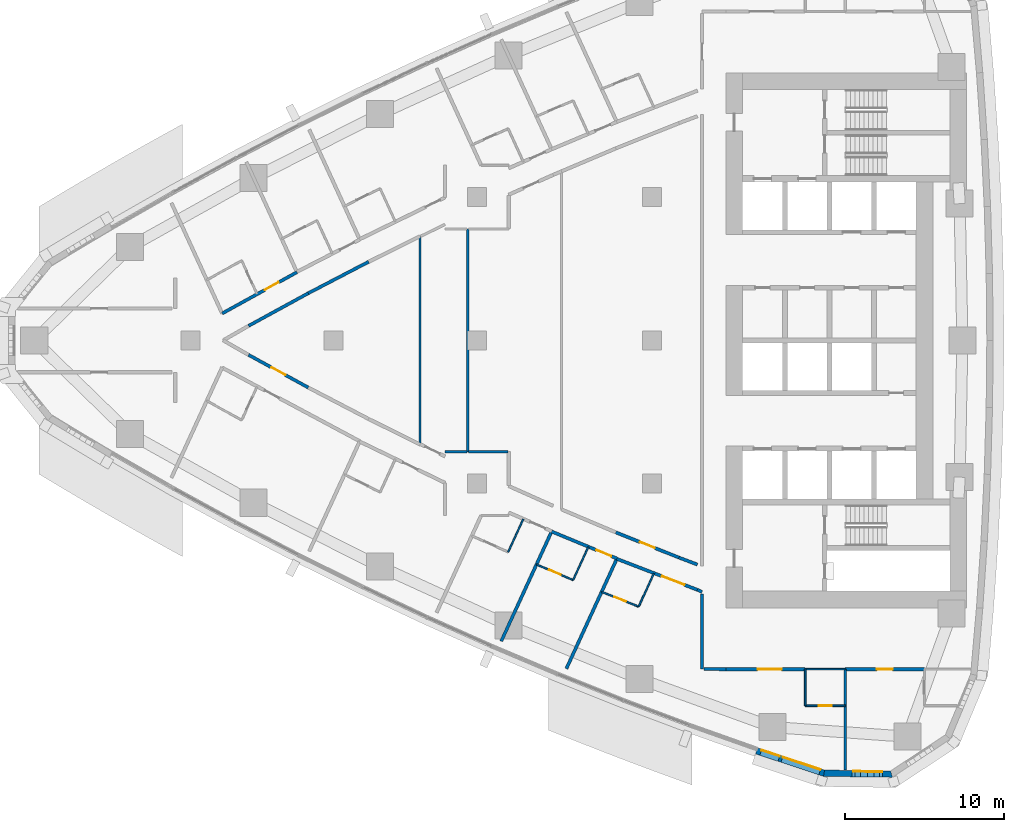
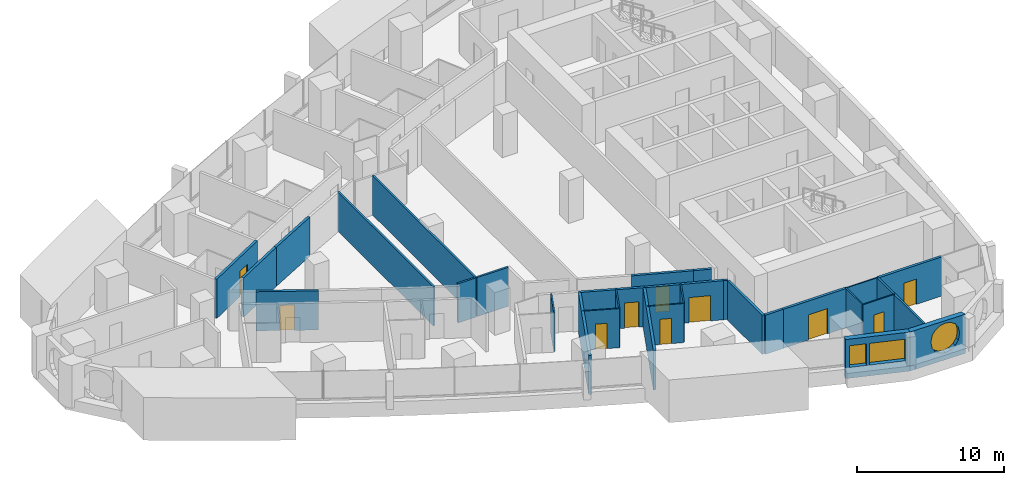
# One storey, part 9 of 17: 30 walls, 10 doors, 3 windows, 13 openings.
"""IFC4 building model written with IfcOpenShell, lengths in metres."""

from ifc_helpers import new_model, si_unit, direction, frame, frame_2d, origin, place, context, subcontext, project, spatial, polyline, rectangle, outline, extrude, material, layer, layer_set, type_object, element, fill, save


model = new_model("IFC4")

# Units and contexts
model_context = context("Model", 3, precision=1e-05, world=origin(), true_north=direction((0.0, 1.0)))
body_context = subcontext(model_context, "Body", "Model", "MODEL_VIEW")
ifc_project = project(units=[si_unit("LENGTHUNIT", "METRE"), si_unit("AREAUNIT", "SQUARE_METRE"), si_unit("VOLUMEUNIT", "CUBIC_METRE"), si_unit("PLANEANGLEUNIT", "RADIAN"), si_unit("MASSUNIT", "GRAM", prefix="KILO")], contexts=[model_context])

# Site, building, storey
site_placement = place(None, origin())
site = spatial("IfcSite", under=ifc_project, at=site_placement, CompositionType="ELEMENT")
building_placement = place(site_placement, origin())
building = spatial("IfcBuilding", under=site, at=building_placement, Name="Ostrand Prow Hotel Tower", CompositionType="ELEMENT")
storey_placement = place(building_placement, frame((0.0, 0.0, 84.89990234375)))
storey = spatial("IfcBuildingStorey", under=building, at=storey_placement, Name="L19", CompositionType="ELEMENT", Elevation=84.89990234375)

# Wall
ifc_material_1 = material(Name="Plasterboard partition")
ifc_layer_1 = layer(ifc_material_1, 0.10009765625)
ifc_layer_set_1 = layer_set([ifc_layer_1], Name="Plasterboard partition")
wall_type_1 = type_object("IfcWallType", Name="Partition 100 bathroom wall", PredefinedType="PARTITIONING", material=ifc_layer_set_1)
wall_1_placement = place(storey_placement, frame((54.630615234375, -22.949951171875, 0.0), z_axis=(0.0, 0.0, 1.0), x_axis=(0.0, 1.0, 0.0)))
element("IfcWall", 1, at=wall_1_placement, inside=storey, type_object=wall_type_1, Name="BATHROOM WALL", PredefinedType="PARTITIONING", context=body_context, shape_type="SweptSolid", body=[
    extrude(rectangle(XDim=2.300048828125, YDim=0.10009765625, at=frame_2d((1.14990234375, 0.0))), origin(), (0.0, 0.0, 1.0), 3.25),
])

# Wall, opening, door
wall_2_placement = place(storey_placement, frame((57.130615234375, -22.949951171875, 0.0), z_axis=(0.0, 0.0, 1.0), x_axis=(-1.0, 0.0, 0.0)))
wall_2 = element("IfcWall", 2, at=wall_2_placement, inside=storey, type_object=wall_type_1, Name="BATHROOM WALL", PredefinedType="PARTITIONING", context=body_context, shape_type="SweptSolid", body=[
    extrude(rectangle(XDim=2.5, YDim=0.10009765625, at=frame_2d((1.25, 0.0))), origin(), (0.0, 0.0, 1.0), 3.25),
])
opening_1_placement = place(wall_2_placement, frame((0.85009765625, 0.0, 0.0)))
opening_1 = element("IfcOpeningElement", 3, at=opening_1_placement, cuts=wall_2, Name="Opening D2", PredefinedType="OPENING", context=body_context, shape_type="SweptSolid", body=[
    extrude(rectangle(XDim=0.800048828125, YDim=2.10009765625, at=frame_2d((0.39990234375, 1.050048828125))), frame((0.0, 0.06005859375, 0.0), z_axis=(0.0, -1.0, 0.0), x_axis=(1.0, 0.0, 0.0)), (0.0, 0.0, 1.0), 0.1201171875),
])
ifc_material_2 = material(Name="Timber door leaf", Category="wood")
door_type_1 = type_object("IfcDoorType", Name="Bathroom door 800", OperationType="SINGLE_SWING_LEFT", PredefinedType="DOOR", material=ifc_material_2)
door_1_placement = place(opening_1_placement, origin())
door_1 = element("IfcDoor", 4, at=door_1_placement, inside=storey, type_object=door_type_1, Name="DOOR", OperationType="SINGLE_SWING_LEFT", OverallHeight=2.10009765625, OverallWidth=0.800048828125, PredefinedType="DOOR", context=body_context, shape_type="SweptSolid", body=[
    extrude(rectangle(XDim=0.800048828125, YDim=2.10009765625, at=frame_2d((0.39990234375, 1.050048828125))), frame((0.0, 0.02490234375, 0.0), z_axis=(0.0, -1.0, 0.0), x_axis=(1.0, 0.0, 0.0)), (0.0, 0.0, 1.0), 0.050048828125),
])
fill(opening_1, door_1)

# Walls
wall_3_placement = place(storey_placement, frame((36.917236328125, -11.2275390625, 0.0), z_axis=(0.0, 0.0, 1.0), x_axis=(-0.417378147321, -0.908732899228, 0.0)))
element("IfcWall", 5, at=wall_3_placement, inside=storey, type_object=wall_type_1, Name="BATHROOM WALL", PredefinedType="PARTITIONING", context=body_context, shape_type="SweptSolid", body=[
    extrude(rectangle(XDim=2.277099609375, YDim=0.10009765625, at=frame_2d((1.138671875, 0.0))), origin(), (0.0, 0.0, 1.0), 3.25),
])
wall_4_placement = place(storey_placement, frame((40.99853515625, -12.983642578125, 0.0), z_axis=(0.0, 0.0, 1.0), x_axis=(-0.417433204355, -0.908707609686, 0.0)))
element("IfcWall", 6, at=wall_4_placement, inside=storey, type_object=wall_type_1, Name="BATHROOM WALL", PredefinedType="PARTITIONING", context=body_context, shape_type="SweptSolid", body=[
    extrude(rectangle(XDim=2.278076171875, YDim=0.10009765625, at=frame_2d((1.13916015625, 0.0))), origin(), (0.0, 0.0, 1.0), 3.25),
])

# Wall, opening, door
wall_5_placement = place(storey_placement, frame((40.047607421875, -15.0537109375, 0.0), z_axis=(0.0, 0.0, 1.0), x_axis=(-0.921042675983, 0.38946166566, 0.0)))
wall_5 = element("IfcWall", 7, at=wall_5_placement, inside=storey, type_object=wall_type_1, Name="BATHROOM WALL", PredefinedType="PARTITIONING", context=body_context, shape_type="SweptSolid", body=[
    extrude(rectangle(XDim=2.501220703125, YDim=0.10009765625, at=frame_2d((1.25048828125, 0.0))), origin(), (0.0, 0.0, 1.0), 3.25),
])
opening_2_placement = place(wall_5_placement, frame((0.85009765625, 0.0, 0.0)))
opening_2 = element("IfcOpeningElement", 8, at=opening_2_placement, cuts=wall_5, Name="Opening D2", PredefinedType="OPENING", context=body_context, shape_type="SweptSolid", body=[
    extrude(rectangle(XDim=0.800048828125, YDim=2.10009765625, at=frame_2d((0.39990234375, 1.050048828125))), frame((0.0, 0.06005859375, 0.0), z_axis=(0.0, -1.0, 0.0), x_axis=(1.0, 0.0, 0.0)), (0.0, 0.0, 1.0), 0.1201171875),
])
door_2_placement = place(opening_2_placement, origin())
door_2 = element("IfcDoor", 9, at=door_2_placement, inside=storey, type_object=door_type_1, Name="DOOR", OperationType="SINGLE_SWING_LEFT", OverallHeight=2.10009765625, OverallWidth=0.800048828125, PredefinedType="DOOR", context=body_context, shape_type="SweptSolid", body=[
    extrude(rectangle(XDim=0.800048828125, YDim=2.10009765625, at=frame_2d((0.39990234375, 1.050048828125))), frame((0.0, 0.02490234375, 0.0), z_axis=(0.0, -1.0, 0.0), x_axis=(1.0, 0.0, 0.0)), (0.0, 0.0, 1.0), 0.050048828125),
])
fill(opening_2, door_2)

# Wall
wall_6_placement = place(storey_placement, frame((45.1142578125, -14.65478515625, 0.0), z_axis=(0.0, 0.0, 1.0), x_axis=(-0.417373525971, -0.908735021785, 0.0)))
element("IfcWall", 10, at=wall_6_placement, inside=storey, type_object=wall_type_1, Name="BATHROOM WALL", PredefinedType="PARTITIONING", context=body_context, shape_type="SweptSolid", body=[
    extrude(rectangle(XDim=2.280029296875, YDim=0.10009765625, at=frame_2d((1.14013671875, 0.0))), origin(), (0.0, 0.0, 1.0), 3.25),
])

# Wall, opening, door
wall_7_placement = place(storey_placement, frame((44.16259765625, -16.726806640625, 0.0), z_axis=(0.0, 0.0, 1.0), x_axis=(-0.928638024739, 0.370987087388, 0.0)))
wall_7 = element("IfcWall", 11, at=wall_7_placement, inside=storey, type_object=wall_type_1, Name="BATHROOM WALL", PredefinedType="PARTITIONING", context=body_context, shape_type="SweptSolid", body=[
    extrude(rectangle(XDim=2.50341796875, YDim=0.10009765625, at=frame_2d((1.251708984375, 0.0))), origin(), (0.0, 0.0, 1.0), 3.25),
])
opening_3_placement = place(wall_7_placement, frame((0.85009765625, 0.0, 0.0)))
opening_3 = element("IfcOpeningElement", 12, at=opening_3_placement, cuts=wall_7, Name="Opening D2", PredefinedType="OPENING", context=body_context, shape_type="SweptSolid", body=[
    extrude(rectangle(XDim=0.800048828125, YDim=2.10009765625, at=frame_2d((0.39990234375, 1.050048828125))), frame((0.0, 0.06005859375, 0.0), z_axis=(0.0, -1.0, 0.0), x_axis=(1.0, 0.0, 0.0)), (0.0, 0.0, 1.0), 0.1201171875),
])
door_3_placement = place(opening_3_placement, origin())
door_3 = element("IfcDoor", 13, at=door_3_placement, inside=storey, type_object=door_type_1, Name="DOOR", OperationType="SINGLE_SWING_LEFT", OverallHeight=2.10009765625, OverallWidth=0.800048828125, PredefinedType="DOOR", context=body_context, shape_type="SweptSolid", body=[
    extrude(rectangle(XDim=0.800048828125, YDim=2.10009765625, at=frame_2d((0.39990234375, 1.050048828125))), frame((0.0, 0.02490234375, 0.0), z_axis=(0.0, -1.0, 0.0), x_axis=(1.0, 0.0, 0.0)), (0.0, 0.0, 1.0), 0.050048828125),
])
fill(opening_3, door_3)

# Walls
wall_8_placement = place(storey_placement, frame((54.630615234375, -20.655029296875, 0.0), z_axis=(0.0, 0.0, 1.0), x_axis=(1.0, 0.0, 0.0)))
element("IfcWall", 14, at=wall_8_placement, inside=storey, type_object=wall_type_1, Name="BATHROOM WALL", PredefinedType="PARTITIONING", context=body_context, shape_type="SweptSolid", body=[
    extrude(rectangle(XDim=2.5, YDim=0.10009765625, at=frame_2d((1.25, 0.0))), origin(), (0.0, 0.0, 1.0), 3.25),
])
ifc_material_3 = material(Name="Plasterboard partition")
ifc_layer_2 = layer(ifc_material_3, 0.14990234375)
ifc_layer_set_2 = layer_set([ifc_layer_2], Name="Plasterboard partition")
wall_type_2 = type_object("IfcWallType", Name="Partition 150 room partition", PredefinedType="PARTITIONING", material=ifc_layer_set_2)
wall_9_placement = place(storey_placement, frame((57.130615234375, -26.97900390625, 0.0), z_axis=(0.0, 0.0, 1.0), x_axis=(0.0, 1.0, 0.0)))
element("IfcWall", 15, at=wall_9_placement, inside=storey, type_object=wall_type_2, Name="ROOM PARTITION", PredefinedType="PARTITIONING", context=body_context, shape_type="SweptSolid", body=[
    extrude(rectangle(XDim=6.3291015625, YDim=0.14990234375, at=frame_2d((3.16455078125, 0.0))), origin(), (0.0, 0.0, 1.0), 3.25),
])
wall_10_placement = place(storey_placement, frame((30.4296875, -6.53857421875, 0.0), z_axis=(0.0, 0.0, 1.0), x_axis=(0.0, 1.0, 0.0)))
element("IfcWall", 16, at=wall_10_placement, inside=storey, type_object=wall_type_2, Name="ROOM PARTITION", PredefinedType="PARTITIONING", context=body_context, shape_type="SweptSolid", body=[
    extrude(rectangle(XDim=13.0771484375, YDim=0.14990234375, at=frame_2d((6.53857421875, 0.0))), origin(), (0.0, 0.0, 1.0), 3.25),
])
wall_11_placement = place(storey_placement, frame((33.4296875, -7.0, 0.0), z_axis=(0.0, 0.0, 1.0), x_axis=(0.0, 1.0, 0.0)))
element("IfcWall", 17, at=wall_11_placement, inside=storey, type_object=wall_type_2, Name="ROOM PARTITION", PredefinedType="PARTITIONING", context=body_context, shape_type="SweptSolid", body=[
    extrude(rectangle(XDim=14.0, YDim=0.14990234375, at=frame_2d((7.0, 0.0))), origin(), (0.0, 0.0, 1.0), 3.25),
])
wall_12_placement = place(storey_placement, frame((33.3896484375, -6.9951171875, 0.0), z_axis=(0.0, 0.0, 1.0), x_axis=(-1.0, 0.0, 0.0)))
element("IfcWall", 18, at=wall_12_placement, inside=storey, type_object=wall_type_2, Name="ROOM PARTITION", PredefinedType="PARTITIONING", context=body_context, shape_type="SweptSolid", body=[
    extrude(rectangle(XDim=1.390625, YDim=0.14990234375, at=frame_2d((0.6953125, 0.0))), origin(), (0.0, 0.0, 1.0), 3.25),
])
wall_13_placement = place(storey_placement, frame((35.962890625, -6.995849609375, 0.0), z_axis=(0.0, 0.0, 1.0), x_axis=(-0.999999956849, 0.00029377202, 0.0)))
element("IfcWall", 19, at=wall_13_placement, inside=storey, type_object=wall_type_2, Name="ROOM PARTITION", PredefinedType="PARTITIONING", context=body_context, shape_type="SweptSolid", body=[
    extrude(rectangle(XDim=2.4931640625, YDim=0.14990234375, at=frame_2d((1.24658203125, 0.0))), origin(), (0.0, 0.0, 1.0), 3.25),
])

# Wall, opening, door
ifc_material_4 = material(Name="Plasterboard partition")
ifc_layer_3 = layer(ifc_material_4, 0.199951171875)
ifc_layer_set_3 = layer_set([ifc_layer_3], Name="Plasterboard partition")
wall_type_3 = type_object("IfcWallType", Name="Partition 200 corridor wall", PredefinedType="PARTITIONING", material=ifc_layer_set_3)
wall_14_placement = place(storey_placement, frame((18.0, 1.691650390625, 0.0), z_axis=(0.0, 0.0, 1.0), x_axis=(0.875548487611, 0.483130257634, 0.0)))
wall_14 = element("IfcWall", 20, at=wall_14_placement, inside=storey, type_object=wall_type_3, Name="CORRIDOR WALL", PredefinedType="PARTITIONING", context=body_context, shape_type="SweptSolid", body=[
    extrude(rectangle(XDim=5.36669921875, YDim=0.199951171875, at=frame_2d((2.683349609375, 0.0))), origin(), (0.0, 0.0, 1.0), 3.25),
])
opening_4_placement = place(wall_14_placement, frame((3.050048828125, 0.0, 0.0)))
opening_4 = element("IfcOpeningElement", 21, at=opening_4_placement, cuts=wall_14, Name="Opening D1R", PredefinedType="OPENING", context=body_context, shape_type="SweptSolid", body=[
    extrude(rectangle(XDim=1.0, YDim=2.10009765625, at=frame_2d((0.5, 1.050048828125))), frame((0.0, 0.10986328125, 0.0), z_axis=(0.0, -1.0, 0.0), x_axis=(1.0, 0.0, 0.0)), (0.0, 0.0, 1.0), 0.219970703125),
])
ifc_material_5 = material(Name="Timber door leaf", Category="wood")
door_type_2 = type_object("IfcDoorType", Name="Guest room door 1000 right", OperationType="SINGLE_SWING_RIGHT", PredefinedType="DOOR", material=ifc_material_5)
door_4_placement = place(opening_4_placement, origin())
door_4 = element("IfcDoor", 22, at=door_4_placement, inside=storey, type_object=door_type_2, Name="DOOR", OperationType="SINGLE_SWING_RIGHT", OverallHeight=2.10009765625, OverallWidth=1.0, PredefinedType="DOOR", context=body_context, shape_type="SweptSolid", body=[
    extrude(rectangle(XDim=1.0, YDim=2.10009765625, at=frame_2d((0.5, 1.050048828125))), frame((0.0, 0.02490234375, 0.0), z_axis=(0.0, -1.0, 0.0), x_axis=(1.0, 0.0, 0.0)), (0.0, 0.0, 1.0), 0.050048828125),
])
fill(opening_4, door_4)

wall_15_placement = place(storey_placement, frame((38.696044921875, -12.0068359375, 0.0), z_axis=(0.0, 0.0, 1.0), x_axis=(0.923970612896, -0.382463470811, 0.0)))
wall_15 = element("IfcWall", 23, at=wall_15_placement, inside=storey, type_object=wall_type_3, Name="CORRIDOR WALL", PredefinedType="PARTITIONING", context=body_context, shape_type="SweptSolid", body=[
    extrude(rectangle(XDim=4.44091796875, YDim=0.199951171875, at=frame_2d((2.220458984375, 0.0))), origin(), (0.0, 0.0, 1.0), 3.25),
])
opening_5_placement = place(wall_15_placement, frame((3.050048828125, 0.0, 0.0)))
opening_5 = element("IfcOpeningElement", 24, at=opening_5_placement, cuts=wall_15, Name="Opening D1", PredefinedType="OPENING", context=body_context, shape_type="SweptSolid", body=[
    extrude(rectangle(XDim=1.0, YDim=2.10009765625, at=frame_2d((0.5, 1.050048828125))), frame((0.0, 0.10986328125, 0.0), z_axis=(0.0, -1.0, 0.0), x_axis=(1.0, 0.0, 0.0)), (0.0, 0.0, 1.0), 0.219970703125),
])
ifc_material_6 = material(Name="Timber door leaf", Category="wood")
door_type_3 = type_object("IfcDoorType", Name="Guest room door 1000", OperationType="SINGLE_SWING_LEFT", PredefinedType="DOOR", material=ifc_material_6)
door_5_placement = place(opening_5_placement, origin())
door_5 = element("IfcDoor", 25, at=door_5_placement, inside=storey, type_object=door_type_3, Name="DOOR", OperationType="SINGLE_SWING_LEFT", OverallHeight=2.10009765625, OverallWidth=1.0, PredefinedType="DOOR", context=body_context, shape_type="SweptSolid", body=[
    extrude(rectangle(XDim=1.0, YDim=2.10009765625, at=frame_2d((0.5, 1.050048828125))), frame((0.0, 0.02490234375, 0.0), z_axis=(0.0, -1.0, 0.0), x_axis=(1.0, 0.0, 0.0)), (0.0, 0.0, 1.0), 0.050048828125),
])
fill(opening_5, door_5)

wall_16_placement = place(storey_placement, frame((23.40673828125, -2.9619140625, 0.0), z_axis=(0.0, 0.0, 1.0), x_axis=(-0.877465075585, 0.479640533242, 0.0)))
wall_16 = element("IfcWall", 26, at=wall_16_placement, inside=storey, type_object=wall_type_3, Name="CORRIDOR WALL", PredefinedType="PARTITIONING", context=body_context, shape_type="SweptSolid", body=[
    extrude(rectangle(XDim=4.273193359375, YDim=0.199951171875, at=frame_2d((2.13671875, 0.0))), origin(), (0.0, 0.0, 1.0), 3.25),
])
opening_6_placement = place(wall_16_placement, frame((1.636474609375, 0.0, 0.0)))
opening_6 = element("IfcOpeningElement", 27, at=opening_6_placement, cuts=wall_16, Name="Opening D1R", PredefinedType="OPENING", context=body_context, shape_type="SweptSolid", body=[
    extrude(rectangle(XDim=1.0, YDim=2.10009765625, at=frame_2d((0.5, 1.050048828125))), frame((0.0, 0.10986328125, 0.0), z_axis=(0.0, -1.0, 0.0), x_axis=(1.0, 0.0, 0.0)), (0.0, 0.0, 1.0), 0.219970703125),
])
door_6_placement = place(opening_6_placement, origin())
door_6 = element("IfcDoor", 28, at=door_6_placement, inside=storey, type_object=door_type_2, Name="DOOR", OperationType="SINGLE_SWING_RIGHT", OverallHeight=2.10009765625, OverallWidth=1.0, PredefinedType="DOOR", context=body_context, shape_type="SweptSolid", body=[
    extrude(rectangle(XDim=1.0, YDim=2.10009765625, at=frame_2d((0.5, 1.050048828125))), frame((0.0, 0.02490234375, 0.0), z_axis=(0.0, -1.0, 0.0), x_axis=(1.0, 0.0, 0.0)), (0.0, 0.0, 1.0), 0.050048828125),
])
fill(opening_6, door_6)

# Walls
wall_17_placement = place(storey_placement, frame((19.6572265625, 0.912353515625, 0.0), z_axis=(0.0, 0.0, 1.0), x_axis=(0.877465075585, 0.479640533242, 0.0)))
element("IfcWall", 29, at=wall_17_placement, inside=storey, type_object=wall_type_3, Name="CORRIDOR WALL", PredefinedType="PARTITIONING", context=body_context, shape_type="SweptSolid", body=[
    extrude(rectangle(XDim=4.273193359375, YDim=0.199951171875, at=frame_2d((2.13671875, 0.0))), origin(), (0.0, 0.0, 1.0), 3.25),
])
wall_18_placement = place(storey_placement, frame((23.40673828125, 2.9619140625, 0.0), z_axis=(0.0, 0.0, 1.0), x_axis=(0.886899452904, 0.461962509775, 0.0)))
element("IfcWall", 30, at=wall_18_placement, inside=storey, type_object=wall_type_3, Name="CORRIDOR WALL", PredefinedType="PARTITIONING", context=body_context, shape_type="SweptSolid", body=[
    extrude(rectangle(XDim=4.272705078125, YDim=0.199951171875, at=frame_2d((2.13623046875, 0.0))), origin(), (0.0, 0.0, 1.0), 3.25),
])

# Wall, opening, door
wall_19_placement = place(storey_placement, frame((46.69580078125, -13.646728515625, 0.0), z_axis=(0.0, 0.0, 1.0), x_axis=(-0.928638161177, 0.370986745864, 0.0)))
wall_19 = element("IfcWall", 31, at=wall_19_placement, inside=storey, type_object=wall_type_3, Name="CORRIDOR WALL", PredefinedType="PARTITIONING", context=body_context, shape_type="SweptSolid", body=[
    extrude(rectangle(XDim=4.27294921875, YDim=0.199951171875, at=frame_2d((2.136474609375, 0.0))), origin(), (0.0, 0.0, 1.0), 3.25),
])
opening_7_placement = place(wall_19_placement, frame((1.636474609375, 0.0, 0.0)))
opening_7 = element("IfcOpeningElement", 32, at=opening_7_placement, cuts=wall_19, Name="Opening D1R", PredefinedType="OPENING", context=body_context, shape_type="SweptSolid", body=[
    extrude(rectangle(XDim=1.0, YDim=2.10009765625, at=frame_2d((0.5, 1.050048828125))), frame((0.0, 0.10986328125, 0.0), z_axis=(0.0, -1.0, 0.0), x_axis=(1.0, 0.0, 0.0)), (0.0, 0.0, 1.0), 0.219970703125),
])
door_7_placement = place(opening_7_placement, origin())
door_7 = element("IfcDoor", 33, at=door_7_placement, inside=storey, type_object=door_type_2, Name="DOOR", OperationType="SINGLE_SWING_RIGHT", OverallHeight=2.10009765625, OverallWidth=1.0, PredefinedType="DOOR", context=body_context, shape_type="SweptSolid", body=[
    extrude(rectangle(XDim=1.0, YDim=2.10009765625, at=frame_2d((0.5, 1.050048828125))), frame((0.0, 0.02490234375, 0.0), z_axis=(0.0, -1.0, 0.0), x_axis=(1.0, 0.0, 0.0)), (0.0, 0.0, 1.0), 0.050048828125),
])
fill(opening_7, door_7)

wall_20_placement = place(storey_placement, frame((49.64990234375, -20.655029296875, 0.0), z_axis=(0.0, 0.0, 1.0), x_axis=(1.0, 0.0, 0.0)))
wall_20 = element("IfcWall", 34, at=wall_20_placement, inside=storey, type_object=wall_type_3, Name="CORRIDOR WALL", PredefinedType="PARTITIONING", context=body_context, shape_type="SweptSolid", body=[
    extrude(rectangle(XDim=4.9755859375, YDim=0.199951171875, at=frame_2d((2.48779296875, 0.0))), origin(), (0.0, 0.0, 1.0), 3.25),
])
opening_8_placement = place(wall_20_placement, frame((1.98779296875, 0.0, 0.0)))
opening_8 = element("IfcOpeningElement", 35, at=opening_8_placement, cuts=wall_20, Name="Opening D15", PredefinedType="OPENING", context=body_context, shape_type="SweptSolid", body=[
    extrude(rectangle(XDim=1.5, YDim=2.10009765625, at=frame_2d((0.75, 1.050048828125))), frame((0.0, 0.10986328125, 0.0), z_axis=(0.0, -1.0, 0.0), x_axis=(1.0, 0.0, 0.0)), (0.0, 0.0, 1.0), 0.219970703125),
])
ifc_material_7 = material(Name="Timber door leaf", Category="wood")
door_type_4 = type_object("IfcDoorType", Name="Double door 1500", OperationType="DOUBLE_DOOR_SINGLE_SWING", PredefinedType="DOOR", material=ifc_material_7)
door_8_placement = place(opening_8_placement, origin())
door_8 = element("IfcDoor", 36, at=door_8_placement, inside=storey, type_object=door_type_4, Name="DOOR", OperationType="DOUBLE_DOOR_SINGLE_SWING", OverallHeight=2.10009765625, OverallWidth=1.5, PredefinedType="DOOR", context=body_context, shape_type="SweptSolid", body=[
    extrude(rectangle(XDim=1.5, YDim=2.10009765625, at=frame_2d((0.75, 1.050048828125))), frame((0.0, 0.02490234375, 0.0), z_axis=(0.0, -1.0, 0.0), x_axis=(1.0, 0.0, 0.0)), (0.0, 0.0, 1.0), 0.050048828125),
])
fill(opening_8, door_8)

wall_21_placement = place(storey_placement, frame((57.135498046875, -20.655029296875, 0.0), z_axis=(0.0, 0.0, 1.0), x_axis=(1.0, 0.0, 0.0)))
wall_21 = element("IfcWall", 37, at=wall_21_placement, inside=storey, type_object=wall_type_3, Name="CORRIDOR WALL", PredefinedType="PARTITIONING", context=body_context, shape_type="SweptSolid", body=[
    extrude(rectangle(XDim=4.970703125, YDim=0.199951171875, at=frame_2d((2.4853515625, 0.0))), origin(), (0.0, 0.0, 1.0), 3.25),
])
opening_9_placement = place(wall_21_placement, frame((1.9853515625, 0.0, 0.0)))
opening_9 = element("IfcOpeningElement", 38, at=opening_9_placement, cuts=wall_21, Name="Opening D1R", PredefinedType="OPENING", context=body_context, shape_type="SweptSolid", body=[
    extrude(rectangle(XDim=1.0, YDim=2.10009765625, at=frame_2d((0.5, 1.050048828125))), frame((0.0, 0.10986328125, 0.0), z_axis=(0.0, -1.0, 0.0), x_axis=(1.0, 0.0, 0.0)), (0.0, 0.0, 1.0), 0.219970703125),
])
door_9_placement = place(opening_9_placement, origin())
door_9 = element("IfcDoor", 39, at=door_9_placement, inside=storey, type_object=door_type_2, Name="DOOR", OperationType="SINGLE_SWING_RIGHT", OverallHeight=2.10009765625, OverallWidth=1.0, PredefinedType="DOOR", context=body_context, shape_type="SweptSolid", body=[
    extrude(rectangle(XDim=1.0, YDim=2.10009765625, at=frame_2d((0.5, 1.050048828125))), frame((0.0, 0.02490234375, 0.0), z_axis=(0.0, -1.0, 0.0), x_axis=(1.0, 0.0, 0.0)), (0.0, 0.0, 1.0), 0.050048828125),
])
fill(opening_9, door_9)

wall_22_placement = place(storey_placement, frame((42.791015625, -13.7236328125, 0.0), z_axis=(0.0, 0.0, 1.0), x_axis=(0.933356043573, -0.358951940969, 0.0)))
wall_22 = element("IfcWall", 40, at=wall_22_placement, inside=storey, type_object=wall_type_3, Name="CORRIDOR WALL", PredefinedType="PARTITIONING", context=body_context, shape_type="SweptSolid", body=[
    extrude(rectangle(XDim=5.425537109375, YDim=0.199951171875, at=frame_2d((2.712890625, 0.0))), origin(), (0.0, 0.0, 1.0), 3.25),
])
opening_10_placement = place(wall_22_placement, frame((3.050048828125, 0.0, 0.0)))
opening_10 = element("IfcOpeningElement", 41, at=opening_10_placement, cuts=wall_22, Name="Opening D15", PredefinedType="OPENING", context=body_context, shape_type="SweptSolid", body=[
    extrude(rectangle(XDim=1.5, YDim=2.10009765625, at=frame_2d((0.75, 1.050048828125))), frame((0.0, 0.10986328125, 0.0), z_axis=(0.0, -1.0, 0.0), x_axis=(1.0, 0.0, 0.0)), (0.0, 0.0, 1.0), 0.219970703125),
])
door_10_placement = place(opening_10_placement, origin())
door_10 = element("IfcDoor", 42, at=door_10_placement, inside=storey, type_object=door_type_4, Name="DOOR", OperationType="DOUBLE_DOOR_SINGLE_SWING", OverallHeight=2.10009765625, OverallWidth=1.5, PredefinedType="DOOR", context=body_context, shape_type="SweptSolid", body=[
    extrude(rectangle(XDim=1.5, YDim=2.10009765625, at=frame_2d((0.75, 1.050048828125))), frame((0.0, 0.02490234375, 0.0), z_axis=(0.0, -1.0, 0.0), x_axis=(1.0, 0.0, 0.0)), (0.0, 0.0, 1.0), 0.050048828125),
])
fill(opening_10, door_10)

# Walls
wall_23_placement = place(storey_placement, frame((47.85498046875, -14.0830078125, 0.0), z_axis=(0.0, 0.0, 1.0), x_axis=(-0.935907269358, 0.352246480696, 0.0)))
element("IfcWall", 43, at=wall_23_placement, inside=storey, type_object=wall_type_3, Name="CORRIDOR WALL", PredefinedType="PARTITIONING", context=body_context, shape_type="SweptSolid", body=[
    extrude(rectangle(XDim=1.238525390625, YDim=0.199951171875, at=frame_2d((0.619140625, 0.0))), origin(), (0.0, 0.0, 1.0), 3.25),
])
wall_24_placement = place(storey_placement, frame((47.85498046875, -15.671142578125, 0.0), z_axis=(0.0, 0.0, 1.0), x_axis=(0.91336751773, -0.407136067617, 0.0)))
element("IfcWall", 44, at=wall_24_placement, inside=storey, type_object=wall_type_3, Name="CORRIDOR WALL", PredefinedType="PARTITIONING", context=body_context, shape_type="SweptSolid", body=[
    extrude(rectangle(XDim=0.31787109375, YDim=0.199951171875, at=frame_2d((0.158935546875, 0.0))), origin(), (0.0, 0.0, 1.0), 3.25),
])
wall_25_placement = place(storey_placement, frame((48.145263671875, -15.92041015625, 0.0), z_axis=(0.0, 0.0, 1.0), x_axis=(-5.1610239e-05, -0.999999998668, 0.0)))
element("IfcWall", 45, at=wall_25_placement, inside=storey, type_object=wall_type_3, Name="CORRIDOR WALL", PredefinedType="PARTITIONING", context=body_context, shape_type="SweptSolid", body=[
    extrude(rectangle(XDim=4.73046875, YDim=0.199951171875, at=frame_2d((2.365234375, 0.0))), origin(), (0.0, 0.0, 1.0), 3.25),
])
wall_26_placement = place(storey_placement, frame((48.26513671875, -20.6513671875, 0.0), z_axis=(0.0, 0.0, 1.0), x_axis=(0.999996503144, -0.002644560569, 0.0)))
element("IfcWall", 46, at=wall_26_placement, inside=storey, type_object=wall_type_3, Name="CORRIDOR WALL", PredefinedType="PARTITIONING", context=body_context, shape_type="SweptSolid", body=[
    extrude(rectangle(XDim=1.384765625, YDim=0.199951171875, at=frame_2d((0.6923828125, 0.0))), origin(), (0.0, 0.0, 1.0), 3.25),
])
ifc_material_8 = material(Name="Plasterboard partition")
ifc_layer_4 = layer(ifc_material_8, 0.199951171875)
ifc_layer_set_4 = layer_set([ifc_layer_4], Name="Plasterboard partition")
wall_type_4 = type_object("IfcWallType", Name="Partition 200 key partition", PredefinedType="PARTITIONING", material=ifc_layer_set_4)
wall_27_placement = place(storey_placement, frame((35.530517578125, -18.89794921875, 0.0), z_axis=(0.0, 0.0, 1.0), x_axis=(0.417416334044, 0.908715359215, 0.0)))
element("IfcWall", 47, at=wall_27_placement, inside=storey, type_object=wall_type_4, Name="KEY PARTITION", PredefinedType="PARTITIONING", context=body_context, shape_type="SweptSolid", body=[
    extrude(rectangle(XDim=7.603515625, YDim=0.199951171875, at=frame_2d((3.8017578125, 0.0))), origin(), (0.0, 0.0, 1.0), 3.25),
])
wall_28_placement = place(storey_placement, frame((39.622802734375, -20.620361328125, 0.0), z_axis=(0.0, 0.0, 1.0), x_axis=(0.417427858403, 0.908710065438, 0.0)))
element("IfcWall", 48, at=wall_28_placement, inside=storey, type_object=wall_type_4, Name="KEY PARTITION", PredefinedType="PARTITIONING", context=body_context, shape_type="SweptSolid", body=[
    extrude(rectangle(XDim=7.609619140625, YDim=0.199951171875, at=frame_2d((3.8046875, 0.0))), origin(), (0.0, 0.0, 1.0), 3.25),
])

# Wall, openings, windows
ifc_material_9 = material(Name="Precast concrete C40/50", Category="concrete")
ifc_layer_5 = layer(ifc_material_9, 0.39990234375)
ifc_layer_set_5 = layer_set([ifc_layer_5], Name="Precast concrete C40/50")
wall_type_5 = type_object("IfcWallType", Name="Stone-faced precast wall 400 mm", PredefinedType="NOTDEFINED", material=ifc_layer_set_5)
wall_29_placement = place(storey_placement, frame((51.56884765625, -25.786865234375, 0.0), z_axis=(0.0, 0.0, 1.0), x_axis=(0.94925004851, -0.314522408429, 0.0)))
wall_29 = element("IfcWall", 49, at=wall_29_placement, inside=storey, type_object=wall_type_5, Name="Stone-faced wall back 1", PredefinedType="NOTDEFINED", context=body_context, shape_type="SweptSolid", body=[
    extrude(outline(polyline([(0.0, -0.199951171875), (4.4990234375, -0.199951171875), (4.43701171875, 0.199951171875), (0.0, 0.199951171875), (0.0, -0.199951171875)])), origin(), (0.0, 0.0, 1.0), 3.25),
])
opening_11_placement = place(wall_29_placement, frame((0.283935546875, 0.0, 0.89990234375)))
opening_11 = element("IfcOpeningElement", 50, at=opening_11_placement, cuts=wall_29, Name="Opening WS4", PredefinedType="OPENING", context=body_context, shape_type="SweptSolid", body=[
    extrude(rectangle(XDim=1.199951171875, YDim=1.800048828125, at=frame_2d((0.60009765625, 0.89990234375))), frame((0.0, 0.2099609375, 0.0), z_axis=(0.0, -1.0, 0.0), x_axis=(1.0, 0.0, 0.0)), (0.0, 0.0, 1.0), 0.419921875),
])
opening_12_placement = place(wall_29_placement, frame((1.68408203125, 0.0, 0.89990234375)))
opening_12 = element("IfcOpeningElement", 51, at=opening_12_placement, cuts=wall_29, Name="Opening WS5-25", PredefinedType="OPENING", context=body_context, shape_type="SweptSolid", body=[
    extrude(rectangle(XDim=2.5, YDim=1.800048828125, at=frame_2d((1.25, 0.89990234375))), frame((0.0, 0.2099609375, 0.0), z_axis=(0.0, -1.0, 0.0), x_axis=(1.0, 0.0, 0.0)), (0.0, 0.0, 1.0), 0.419921875),
])
ifc_material_10 = material(Name="Insulated glass in bronze frame", Category="glass")
window_type_1 = type_object("IfcWindowType", Name="Fixed strip window 2500x1800", PartitioningType="SINGLE_PANEL", PredefinedType="WINDOW", material=ifc_material_10)
window_1_placement = place(opening_12_placement, origin())
window_1 = element("IfcWindow", 52, at=window_1_placement, inside=storey, type_object=window_type_1, Name="Window back 1.2", OverallHeight=1.800048828125, OverallWidth=2.5, PartitioningType="SINGLE_PANEL", PredefinedType="WINDOW", context=body_context, shape_type="SweptSolid", body=[
    extrude(rectangle(XDim=2.5, YDim=1.800048828125, at=frame_2d((1.25, 0.89990234375))), frame((0.0, 0.169921875, 0.0), z_axis=(0.0, -1.0, 0.0), x_axis=(1.0, 0.0, 0.0)), (0.0, 0.0, 1.0), 0.06005859375),
])
fill(opening_12, window_1)
ifc_material_11 = material(Name="Insulated glass in bronze frame", Category="glass")
window_type_2 = type_object("IfcWindowType", Name="Operable strip panel 1200x1800", PartitioningType="SINGLE_PANEL", PredefinedType="WINDOW", material=ifc_material_11)
window_2_placement = place(opening_11_placement, origin())
window_2 = element("IfcWindow", 53, at=window_2_placement, inside=storey, type_object=window_type_2, Name="Window back 1.1", OverallHeight=1.800048828125, OverallWidth=1.199951171875, PartitioningType="SINGLE_PANEL", PredefinedType="WINDOW", context=body_context, shape_type="SweptSolid", body=[
    extrude(rectangle(XDim=1.199951171875, YDim=1.800048828125, at=frame_2d((0.60009765625, 0.89990234375))), frame((0.0, 0.169921875, 0.0), z_axis=(0.0, -1.0, 0.0), x_axis=(1.0, 0.0, 0.0)), (0.0, 0.0, 1.0), 0.06005859375),
])
fill(opening_11, window_2)

# Wall, opening, window
wall_30_placement = place(storey_placement, frame((55.81005859375, -27.192138671875, 0.0), z_axis=(0.0, 0.0, 1.0), x_axis=(0.999919718849, -0.012671063772, 0.0)))
wall_30 = element("IfcWall", 54, at=wall_30_placement, inside=storey, type_object=wall_type_5, Name="Stone-faced wall back 2", PredefinedType="NOTDEFINED", context=body_context, shape_type="SweptSolid", body=[
    extrude(outline(polyline([(-0.031005859375, -0.199951171875), (4.300048828125, -0.199951171875), (4.177490234375, 0.199951171875), (0.031005859375, 0.199951171875), (-0.031005859375, -0.199951171875)])), origin(), (0.0, 0.0, 1.0), 3.25),
])
opening_13_placement = place(wall_30_placement, frame((1.620849609375, 0.0, 0.60009765625)))
opening_13 = element("IfcOpeningElement", 55, at=opening_13_placement, cuts=wall_30, Name="Opening WP1", PredefinedType="OPENING", context=body_context, shape_type="SweptSolid", body=[
    extrude(outline(polyline([(0.0, 1.35009765625), (0.083740234375, 1.77099609375), (0.322265625, 2.127685546875), (0.678955078125, 2.3662109375), (1.10009765625, 2.449951171875), (1.52099609375, 2.3662109375), (1.877685546875, 2.127685546875), (2.1162109375, 1.77099609375), (2.199951171875, 1.35009765625), (2.199951171875, 1.10009765625), (2.1162109375, 0.678955078125), (1.877685546875, 0.322265625), (1.52099609375, 0.083740234375), (1.10009765625, 0.0), (0.678955078125, 0.083740234375), (0.322265625, 0.322265625), (0.083740234375, 0.678955078125), (0.0, 1.099853515625), (0.0, 1.35009765625)])), frame((0.0, 0.2099609375, 0.0), z_axis=(0.0, -1.0, 0.0), x_axis=(1.0, 0.0, 0.0)), (0.0, 0.0, 1.0), 0.419921875),
])
ifc_material_12 = material(Name="Insulated glass in bronze frame", Category="glass")
window_type_3 = type_object("IfcWindowType", Name="Round-ended prow window 2200x2450", PartitioningType="SINGLE_PANEL", PredefinedType="WINDOW", material=ifc_material_12)
window_3_placement = place(opening_13_placement, origin())
window_3 = element("IfcWindow", 56, at=window_3_placement, inside=storey, type_object=window_type_3, Name="Window back 2.1", OverallHeight=2.449951171875, OverallWidth=2.199951171875, PartitioningType="SINGLE_PANEL", PredefinedType="WINDOW", context=body_context, shape_type="SweptSolid", body=[
    extrude(outline(polyline([(0.0, 1.35009765625), (0.083740234375, 1.77099609375), (0.322265625, 2.127685546875), (0.678955078125, 2.3662109375), (1.10009765625, 2.449951171875), (1.52099609375, 2.3662109375), (1.877685546875, 2.127685546875), (2.1162109375, 1.77099609375), (2.199951171875, 1.35009765625), (2.199951171875, 1.10009765625), (2.1162109375, 0.678955078125), (1.877685546875, 0.322265625), (1.52099609375, 0.083740234375), (1.10009765625, 0.0), (0.678955078125, 0.083740234375), (0.322265625, 0.322265625), (0.083740234375, 0.678955078125), (0.0, 1.099853515625), (0.0, 1.35009765625)])), frame((0.0, 0.169921875, 0.0), z_axis=(0.0, -1.0, 0.0), x_axis=(1.0, 0.0, 0.0)), (0.0, 0.0, 1.0), 0.06005859375),
])
fill(opening_13, window_3)

save(model, "model.ifc")
